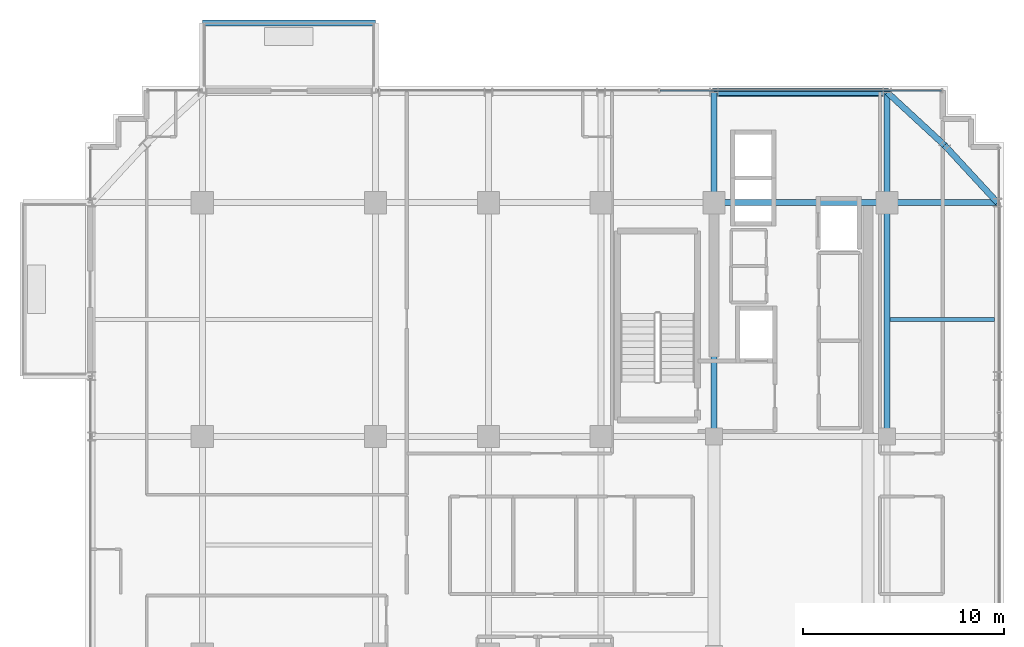
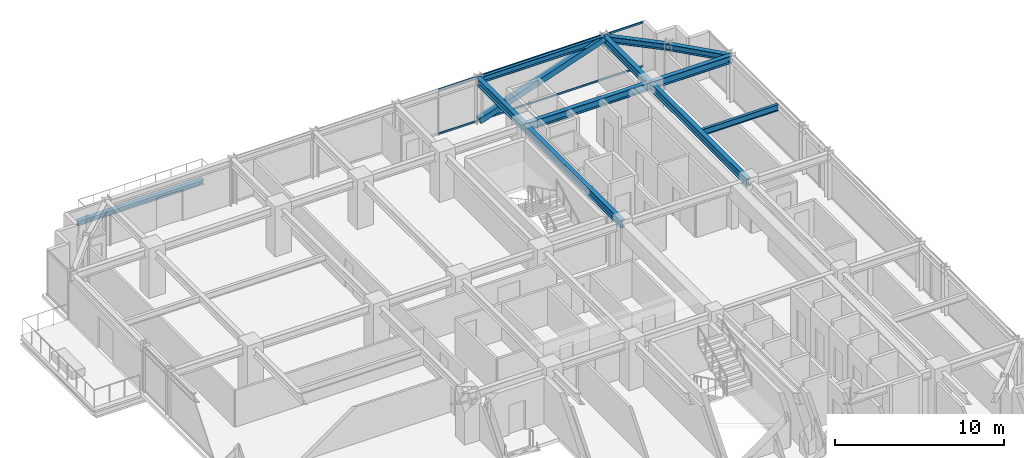
# One storey, part 22 of 32: 11 beams, 3 members, 1 element without a shape of its own.
"""IFC4 building model written with IfcOpenShell, lengths in metres."""

from ifc_helpers import new_model, si_unit, direction, frame, origin, origin_2d, place, context, subcontext, project, spatial, hollow_rectangle, i_section, extrude, source, transform, mapped, material, material_profile, profile_set, type_object, element, aggregate, save


model = new_model("IFC4")

# Units and contexts
model_context = context("Model", 3, precision=1e-05, world=origin(), true_north=direction((0.0, 1.0)))
body_context = subcontext(model_context, "Body", "Model", "MODEL_VIEW")
ifc_project = project(units=[si_unit("LENGTHUNIT", "METRE"), si_unit("AREAUNIT", "SQUARE_METRE"), si_unit("VOLUMEUNIT", "CUBIC_METRE"), si_unit("PLANEANGLEUNIT", "RADIAN"), si_unit("MASSUNIT", "GRAM", prefix="KILO")], contexts=[model_context])

# Site, building, storey
site_placement = place(None, origin())
site = spatial("IfcSite", under=ifc_project, at=site_placement, CompositionType="ELEMENT")
building_placement = place(site_placement, origin())
building = spatial("IfcBuilding", under=site, at=building_placement, Name="Nahalor Promenade Grand Hotel", CompositionType="ELEMENT")
storey_placement = place(building_placement, frame((0.0, 0.0, 196.449951171875)))
storey = spatial("IfcBuildingStorey", under=building, at=storey_placement, Name="L50", CompositionType="ELEMENT", Elevation=196.449951171875)

# Beams
ifc_material_1 = material(Name="Steel S355JR", Category="steel")
ifc_material_profile_1 = material_profile(ifc_material_1, i_section(OverallWidth=0.3, OverallDepth=0.32, WebThickness=0.0115, FlangeThickness=0.0205, at=origin_2d()), Name="HEB 320")
ifc_profile_set_1 = profile_set([ifc_material_profile_1], Name="Steel S355JR")
beam_type_1 = type_object("IfcBeamType", Name="Beam-BalcEdge-HEB320", PredefinedType="SPANDREL", material=ifc_profile_set_1)
shared_shape_1 = source(origin(), body_context, "Body", "SweptSolid", [
    extrude(i_section(OverallWidth=0.3, OverallDepth=0.32, WebThickness=0.0115, FlangeThickness=0.0205, at=origin_2d()), origin(), (0.0, 0.0, 1.0), 8.60009765625),
])
beam_1_placement = place(storey_placement, frame((-17.0, 25.919921875, -0.43994140625), z_axis=(1.0, 0.0, 0.0), x_axis=(0.0, 1.0, 0.0)))
element("IfcBeam", 1, at=beam_1_placement, inside=storey, type_object=beam_type_1, Name="BM-L50-BC-01-F", PredefinedType="SPANDREL", context=body_context, shape_type="MappedRepresentation", body=[
    mapped(shared_shape_1, transform((0.0, 0.0, 0.0), scale=1.0)),
])
ifc_material_profile_2 = material_profile(ifc_material_1, i_section(OverallWidth=0.3, OverallDepth=0.55, WebThickness=0.015, FlangeThickness=0.029, at=origin_2d()), Name="HEB 550")
ifc_profile_set_2 = profile_set([ifc_material_profile_2], Name="Steel S355JR")
beam_type_2 = type_object("IfcBeamType", Name="Beam-Girder-HEB550", PredefinedType="BEAM", material=ifc_profile_set_2)
shared_shape_2 = source(origin(), body_context, "Body", "SweptSolid", [
    extrude(i_section(OverallWidth=0.3, OverallDepth=0.55, WebThickness=0.015, FlangeThickness=0.029, at=origin_2d()), origin(), (0.0, 0.0, 1.0), 8.60009765625),
])
beam_2_placement = place(storey_placement, frame((8.39990234375, 17.0, 3.01513671875), z_axis=(1.0, 0.0, 0.0), x_axis=(0.0, 1.0, 0.0)))
element("IfcBeam", 2, at=beam_2_placement, inside=storey, type_object=beam_type_2, Name="BM-L50-GX-3-5", PredefinedType="BEAM", context=body_context, shape_type="MappedRepresentation", body=[
    mapped(shared_shape_2, transform((0.0, 0.0, 0.0), scale=1.0)),
])
shared_shape_3 = source(origin(), body_context, "Body", "SweptSolid", [
    extrude(i_section(OverallWidth=0.3, OverallDepth=0.55, WebThickness=0.015, FlangeThickness=0.029, at=origin_2d()), origin(), (0.0, 0.0, 1.0), 11.60009765625),
])
for number, where, z_axis, x_axis, name in (
    (3, (8.39990234375, 5.39990234375, 3.01513671875), (0.0, 1.0, 0.0), (-1.0, 0.0, 0.0), "BM-L50-GY-4-3"),
    (4, (17.0, 5.39990234375, 3.01513671875), (0.0, 1.0, 0.0), (-1.0, 0.0, 0.0), "BM-L50-GY-5-3"),
):
    element("IfcBeam", number, at=place(storey_placement, frame(where, z_axis=z_axis, x_axis=x_axis)), inside=storey, type_object=beam_type_2, Name=name, PredefinedType="BEAM", context=body_context, shape_type="MappedRepresentation", body=[
        mapped(shared_shape_3, transform((0.0, 0.0, 0.0), scale=1.0)),
    ])
shared_shape_4 = source(origin(), body_context, "Body", "SweptSolid", [
    extrude(i_section(OverallWidth=0.3, OverallDepth=0.55, WebThickness=0.015, FlangeThickness=0.029, at=origin_2d()), origin(), (0.0, 0.0, 1.0), 5.47998046875),
])
for number, where, z_axis, x_axis, name in (
    (5, (17.0, 17.0, 3.01513671875), (1.0, 0.0, 0.0), (0.0, 1.0, 0.0), "BM-L50-GX-3-6"),
    (6, (8.39990234375, 17.0, 3.01513671875), (0.0, 1.0, 0.0), (-1.0, 0.0, 0.0), "BM-L50-GY-4-4"),
    (7, (17.0, 17.0, 3.01513671875), (0.0, 1.0, 0.0), (-1.0, 0.0, 0.0), "BM-L50-GY-5-4"),
):
    element("IfcBeam", number, at=place(storey_placement, frame(where, z_axis=z_axis, x_axis=x_axis)), inside=storey, type_object=beam_type_2, Name=name, PredefinedType="BEAM", context=body_context, shape_type="MappedRepresentation", body=[
        mapped(shared_shape_4, transform((0.0, 0.0, 0.0), scale=1.0)),
    ])
ifc_material_profile_3 = material_profile(ifc_material_1, i_section(OverallWidth=0.19, OverallDepth=0.45, WebThickness=0.0094, FlangeThickness=0.0146, at=origin_2d()), Name="IPE 450")
ifc_profile_set_3 = profile_set([ifc_material_profile_3], Name="Steel S355JR")
beam_type_3 = type_object("IfcBeamType", Name="Beam-Joist-IPE450", PredefinedType="JOIST", material=ifc_profile_set_3)
shared_shape_5 = source(origin(), body_context, "Body", "SweptSolid", [
    extrude(i_section(OverallWidth=0.19, OverallDepth=0.45, WebThickness=0.0094, FlangeThickness=0.0146, at=origin_2d()), origin(), (0.0, 0.0, 1.0), 5.18017578125),
])
beam_3_placement = place(storey_placement, frame((17.14990234375, 11.199951171875, 3.06494140625), z_axis=(1.0, 0.0, 0.0), x_axis=(0.0, 1.0, 0.0)))
element("IfcBeam", 8, at=beam_3_placement, inside=storey, type_object=beam_type_3, Name="BM-L50-JSE-1-2", PredefinedType="JOIST", context=body_context, shape_type="MappedRepresentation", body=[
    mapped(shared_shape_5, transform((0.0, 0.0, 0.0), scale=1.0)),
])
ifc_material_profile_4 = material_profile(ifc_material_1, i_section(OverallWidth=0.3, OverallDepth=0.45, WebThickness=0.014, FlangeThickness=0.026, at=origin_2d()), Name="HEB 450")
ifc_profile_set_4 = profile_set([ifc_material_profile_4], Name="Steel S355JR")
beam_type_4 = type_object("IfcBeamType", Name="Beam-Spandrel-HEB450", PredefinedType="SPANDREL", material=ifc_profile_set_4)
shared_shape_6 = source(origin(), body_context, "Body", "SweptSolid", [
    extrude(i_section(OverallWidth=0.3, OverallDepth=0.45, WebThickness=0.014, FlangeThickness=0.026, at=origin_2d()), origin(), (0.0, 0.0, 1.0), 8.60009765625),
])
beam_4_placement = place(storey_placement, frame((8.39990234375, 22.47998046875, 3.06494140625), z_axis=(1.0, 0.0, 0.0), x_axis=(0.0, 1.0, 0.0)))
element("IfcBeam", 9, at=beam_4_placement, inside=storey, type_object=beam_type_4, Name="BM-L50-SP-N-4", PredefinedType="SPANDREL", context=body_context, shape_type="MappedRepresentation", body=[
    mapped(shared_shape_6, transform((0.0, 0.0, 0.0), scale=1.0)),
])
shared_shape_7 = source(origin(), body_context, "Body", "SweptSolid", [
    extrude(i_section(OverallWidth=0.3, OverallDepth=0.45, WebThickness=0.014, FlangeThickness=0.026, at=origin_2d()), origin(), (0.0, 0.0, 1.0), 3.878173828125),
])
for number, where, z_axis, x_axis, name in (
    (10, (17.0, 22.47998046875, 3.06494140625), (0.73492893846, -0.678144125843, 0.0), (0.678144125843, 0.73492893846, 0.0), "BM-L50-SPC-NE-1"),
    (11, (19.85009765625, 19.85009765625, 3.06494140625), (0.678144125843, -0.73492893846, 0.0), (0.73492893846, 0.678144125843, 0.0), "BM-L50-SPC-NE-2"),
):
    element("IfcBeam", number, at=place(storey_placement, frame(where, z_axis=z_axis, x_axis=x_axis)), inside=storey, type_object=beam_type_4, Name=name, PredefinedType="SPANDREL", context=body_context, shape_type="MappedRepresentation", body=[
        mapped(shared_shape_7, transform((0.0, 0.0, 0.0), scale=1.0)),
    ])

# Member
ifc_material_profile_5 = material_profile(ifc_material_1, hollow_rectangle(XDim=0.4, YDim=0.4, WallThickness=0.022, at=origin_2d()), Name="SHS 400x400x22")
ifc_profile_set_5 = profile_set([ifc_material_profile_5], Name="Steel S355JR")
member_type_1 = type_object("IfcMemberType", Name="Mem-ExoBrace-SHS400", PredefinedType="BRACE", material=ifc_profile_set_5)
shared_shape_8 = source(origin(), body_context, "Body", "SweptSolid", [
    extrude(hollow_rectangle(XDim=0.4, YDim=0.4, WallThickness=0.022, at=origin_2d()), origin(), (0.0, 0.0, 1.0), 9.10498046875),
])
member_1_placement = place(storey_placement, frame((8.39990234375, 22.47998046875, 0.150146484375), z_axis=(0.944542728138, 0.0, 0.328388542313), x_axis=(0.0, 1.0, 0.0)))
element("IfcMember", 12, at=member_1_placement, inside=storey, type_object=member_type_1, Name="EXO-L50-N-1", PredefinedType="BRACE", context=body_context, shape_type="MappedRepresentation", body=[
    mapped(shared_shape_8, transform((0.0, 0.0, 0.0), scale=1.0)),
])

# Curtain wall, members
ifc_material_2 = material(Name="Anodised Bronze Aluminium EN AW-6063 T6", Category="aluminium")
curtain_wall_type = type_object("IfcCurtainWallType", Name="CW2 Typical Hotel Flush Bronze Unitised Curtain Wall", PredefinedType="USERDEFINED", material=ifc_material_2)
curtain_wall_placement = place(storey_placement, origin())
curtain_wall = element("IfcCurtainWall", 13, at=curtain_wall_placement, inside=storey, type_object=curtain_wall_type, Name="L50 Curtain Wall CW-L50-N-3", ObjectType="UNITISED_CURTAIN_WALL", PredefinedType="USERDEFINED")
ifc_material_profile_6 = material_profile(ifc_material_2, hollow_rectangle(XDim=0.065, YDim=0.13, WallThickness=0.004, at=origin_2d()), Name="CWT 65x130x4")
ifc_profile_set_6 = profile_set([ifc_material_profile_6], Name="Anodised Bronze Aluminium EN AW-6063 T6")
member_type_2 = type_object("IfcMemberType", Name="CWT2 Typical Bronze Transom 65x130", PredefinedType="USERDEFINED", material=ifc_profile_set_6)
shared_shape_9 = source(origin(), body_context, "Body", "SweptSolid", [
    extrude(hollow_rectangle(XDim=0.065, YDim=0.13, WallThickness=0.004, at=origin_2d()), origin(), (0.0, 0.0, 1.0), 13.982666015625),
])
member_2_placement = place(storey_placement, frame((5.71240234375, 22.56005859375, 0.06494140625), z_axis=(1.0, 0.0, 0.0), x_axis=(0.0, 1.0, 0.0)))
member_2 = element("IfcMember", 14, at=member_2_placement, type_object=member_type_2, Name="CW-L50-N-3 Transom 1-0", ObjectType="TRANSOM", PredefinedType="USERDEFINED", context=body_context, shape_type="MappedRepresentation", body=[
    mapped(shared_shape_9, transform((0.0, 0.0, 0.0), scale=1.0)),
])
member_3_placement = place(storey_placement, frame((5.71240234375, 22.56005859375, 3.22509765625), z_axis=(1.0, 0.0, 0.0), x_axis=(0.0, 1.0, 0.0)))
member_3 = element("IfcMember", 15, at=member_3_placement, type_object=member_type_2, Name="CW-L50-N-3 Transom 1-1", ObjectType="TRANSOM", PredefinedType="USERDEFINED", context=body_context, shape_type="MappedRepresentation", body=[
    mapped(shared_shape_9, transform((0.0, 0.0, 0.0), scale=1.0)),
])
aggregate(curtain_wall, [member_2, member_3])

save(model, "model.ifc")
